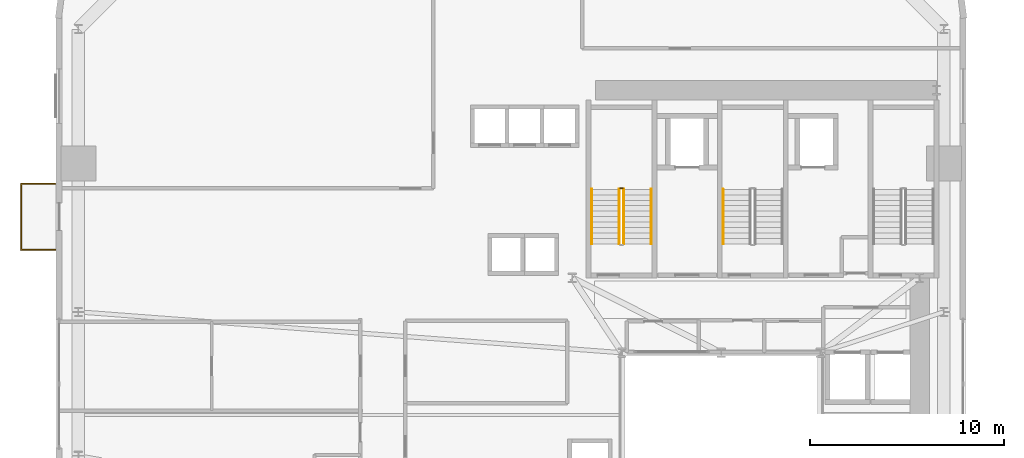
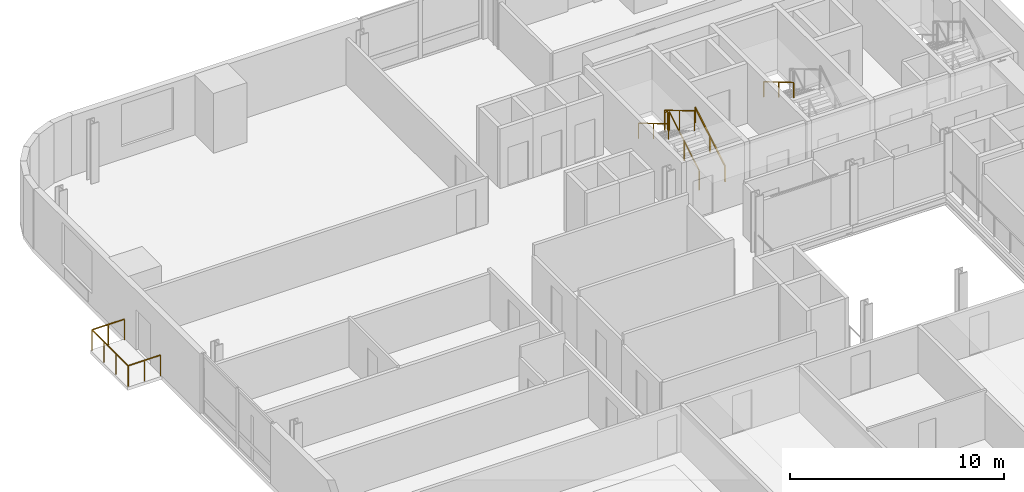
# One storey, part 12 of 13: 7 railings.
"""IFC4 building model written with IfcOpenShell, lengths in metres."""

from ifc_helpers import new_model, si_unit, direction, frame, origin, origin_2d, place, context, subcontext, project, spatial, rectangle, extrude, source, transform, mapped, material, type_object, element, save


model = new_model("IFC4")

# Units and contexts
model_context = context("Model", 3, precision=1e-05, world=origin(), true_north=direction((0.0, 1.0)))
body_context = subcontext(model_context, "Body", "Model", "MODEL_VIEW")
ifc_project = project(units=[si_unit("LENGTHUNIT", "METRE"), si_unit("AREAUNIT", "SQUARE_METRE"), si_unit("VOLUMEUNIT", "CUBIC_METRE"), si_unit("PLANEANGLEUNIT", "RADIAN"), si_unit("MASSUNIT", "GRAM", prefix="KILO")], contexts=[model_context])

# Site, building, storey
site_placement = place(None, origin())
site = spatial("IfcSite", under=ifc_project, at=site_placement, CompositionType="ELEMENT")
building_placement = place(site_placement, origin())
building = spatial("IfcBuilding", under=site, at=building_placement, Name="Vardaveli Station Tower", CompositionType="ELEMENT")
storey_placement = place(building_placement, frame((0.0, 0.0, 34.89990234375)))
storey = spatial("IfcBuildingStorey", under=building, at=storey_placement, Name="L08", CompositionType="ELEMENT", Elevation=34.89990234375)

# Railings
ifc_material_1 = material(Name="Laminated glass and stainless steel balustrade", Category="steel")
railing_type_1 = type_object("IfcRailingType", Name="RL-BAL-1200", PredefinedType="BALUSTRADE", material=ifc_material_1)
shared_shape_1 = source(origin(), body_context, "Body", "SweptSolid", [
    extrude(rectangle(XDim=0.048095703125, YDim=0.048095703125, at=origin_2d()), frame((0.0, 0.0, 1.17578125), z_axis=(-1.0, 0.0, 0.0), x_axis=(0.0, -1.0, 0.0)), (0.0, 0.0, 1.0), 1.75),
    extrude(rectangle(XDim=0.048095703125, YDim=0.048095703125, at=origin_2d()), frame((-1.75, 0.0, 1.17578125), z_axis=(0.0, 1.0, 0.0), x_axis=(-1.0, 0.0, 0.0)), (0.0, 0.0, 1.0), 3.3798828125),
    extrude(rectangle(XDim=0.048095703125, YDim=0.048095703125, at=origin_2d()), frame((-1.75, 3.3798828125, 1.17578125), z_axis=(1.0, 0.0, 0.0), x_axis=(0.0, 1.0, 0.0)), (0.0, 0.0, 1.0), 1.75),
    extrude(rectangle(XDim=0.0419921875, YDim=0.0419921875, at=origin_2d()), origin(), (0.0, 0.0, 1.0), 1.15185546875),
    extrude(rectangle(XDim=0.0419921875, YDim=0.0419921875, at=origin_2d()), frame((-0.875, 0.0, 0.0)), (0.0, 0.0, 1.0), 1.15185546875),
    extrude(rectangle(XDim=0.0419921875, YDim=0.0419921875, at=origin_2d()), frame((-1.75, 0.0, 0.0)), (0.0, 0.0, 1.0), 1.15185546875),
    extrude(rectangle(XDim=0.0419921875, YDim=0.0419921875, at=origin_2d()), frame((-1.75, 1.126708984375, 0.0)), (0.0, 0.0, 1.0), 1.15185546875),
    extrude(rectangle(XDim=0.0419921875, YDim=0.0419921875, at=origin_2d()), frame((-1.75, 2.253173828125, 0.0)), (0.0, 0.0, 1.0), 1.15185546875),
    extrude(rectangle(XDim=0.0419921875, YDim=0.0419921875, at=origin_2d()), frame((-1.75, 3.3798828125, 0.0)), (0.0, 0.0, 1.0), 1.15185546875),
    extrude(rectangle(XDim=0.0419921875, YDim=0.0419921875, at=origin_2d()), frame((-0.875, 3.3798828125, 0.0)), (0.0, 0.0, 1.0), 1.15185546875),
    extrude(rectangle(XDim=0.0419921875, YDim=0.0419921875, at=origin_2d()), frame((0.0, 3.3798828125, 0.0)), (0.0, 0.0, 1.0), 1.15185546875),
])
railing_1_placement = place(storey_placement, frame((2.06005859375, 32.099609375, 0.0)))
element("IfcRailing", 1, at=railing_1_placement, inside=storey, type_object=railing_type_1, Name="RL-LOG-L08-03", PredefinedType="BALUSTRADE", context=body_context, shape_type="MappedRepresentation", body=[
    mapped(shared_shape_1, transform((0.0, 0.0, 0.0), scale=1.0)),
])
ifc_material_2 = material(Name="Brushed AISI 316 stainless steel", Category="steel")
railing_type_2 = type_object("IfcRailingType", Name="RL-GUARD-1150", PredefinedType="GUARDRAIL", material=ifc_material_2)
shared_shape_2 = source(origin(), body_context, "Body", "SweptSolid", [
    extrude(rectangle(XDim=0.048095703125, YDim=0.048095703125, at=origin_2d()), frame((0.0, 0.0, 1.1259765625), z_axis=(-1.0, 0.0, 0.0), x_axis=(0.0, -1.0, 0.0)), (0.0, 0.0, 1.0), 0.14990234375),
    extrude(rectangle(XDim=0.0419921875, YDim=0.0419921875, at=origin_2d()), origin(), (0.0, 0.0, 1.0), 1.101806640625),
    extrude(rectangle(XDim=0.0419921875, YDim=0.0419921875, at=origin_2d()), frame((-0.14990234375, 0.0, 0.0)), (0.0, 0.0, 1.0), 1.101806640625),
])
railing_2_placement = place(storey_placement, frame((31.25, 35.25, 1.8251953125)))
element("IfcRailing", 2, at=railing_2_placement, inside=storey, type_object=railing_type_2, Name="L08 ST-1 stair guard 2", PredefinedType="GUARDRAIL", context=body_context, shape_type="MappedRepresentation", body=[
    mapped(shared_shape_2, transform((0.0, 0.0, 0.0), scale=1.0)),
])
shared_shape_3 = source(origin(), body_context, "Body", "SweptSolid", [
    extrude(rectangle(XDim=0.048095703125, YDim=0.048095703125, at=origin_2d()), frame((0.0, 0.0, 1.1259765625), z_axis=(0.0, 0.860306154799, 0.50977771628), x_axis=(-1.0, 0.0, 0.0)), (0.0, 0.0, 1.0), 3.254638671875),
    extrude(rectangle(XDim=0.0419921875, YDim=0.0419921875, at=origin_2d()), origin(), (0.0, 0.0, 1.0), 1.101806640625),
    extrude(rectangle(XDim=0.0419921875, YDim=0.0419921875, at=origin_2d()), frame((0.0, 1.39990234375, 0.82958984375)), (0.0, 0.0, 1.0), 1.101806640625),
    extrude(rectangle(XDim=0.0419921875, YDim=0.0419921875, at=origin_2d()), frame((0.0, 2.800048828125, 1.6591796875)), (0.0, 0.0, 1.0), 1.101806640625),
])
railing_3_placement = place(storey_placement, frame((31.300048828125, 32.39990234375, 0.166015625)))
element("IfcRailing", 3, at=railing_3_placement, inside=storey, type_object=railing_type_2, Name="L08 ST-1 stair guard 1", PredefinedType="GUARDRAIL", context=body_context, shape_type="MappedRepresentation", body=[
    mapped(shared_shape_3, transform((0.0, 0.0, 0.0), scale=1.0)),
])
shared_shape_4 = source(origin(), body_context, "Body", "SweptSolid", [
    extrude(rectangle(XDim=0.048095703125, YDim=0.048095703125, at=origin_2d()), frame((0.0, 0.0, 1.1259765625), z_axis=(0.0, -0.860306154799, 0.50977771628), x_axis=(1.0, 0.0, 0.0)), (0.0, 0.0, 1.0), 3.254638671875),
    extrude(rectangle(XDim=0.0419921875, YDim=0.0419921875, at=origin_2d()), origin(), (0.0, 0.0, 1.0), 1.101806640625),
    extrude(rectangle(XDim=0.0419921875, YDim=0.0419921875, at=origin_2d()), frame((0.0, -1.39990234375, 0.82958984375)), (0.0, 0.0, 1.0), 1.101806640625),
    extrude(rectangle(XDim=0.0419921875, YDim=0.0419921875, at=origin_2d()), frame((0.0, -2.800048828125, 1.6591796875)), (0.0, 0.0, 1.0), 1.101806640625),
])
railing_4_placement = place(storey_placement, frame((31.050048828125, 35.199951171875, 1.990966796875)))
element("IfcRailing", 4, at=railing_4_placement, inside=storey, type_object=railing_type_2, Name="L08 ST-1 stair guard 3", PredefinedType="GUARDRAIL", context=body_context, shape_type="MappedRepresentation", body=[
    mapped(shared_shape_4, transform((0.0, 0.0, 0.0), scale=1.0)),
])
railing_type_3 = type_object("IfcRailingType", Name="RL-HAND-900", PredefinedType="HANDRAIL", material=ifc_material_2)
shared_shape_5 = source(origin(), body_context, "Body", "SweptSolid", [
    extrude(rectangle(XDim=0.048095703125, YDim=0.048095703125, at=origin_2d()), frame((0.0, 0.0, 0.8759765625), z_axis=(0.0, 0.860306154799, 0.50977771628), x_axis=(-1.0, 0.0, 0.0)), (0.0, 0.0, 1.0), 3.254638671875),
    extrude(rectangle(XDim=0.0419921875, YDim=0.0419921875, at=origin_2d()), origin(), (0.0, 0.0, 1.0), 0.851806640625),
    extrude(rectangle(XDim=0.0419921875, YDim=0.0419921875, at=origin_2d()), frame((0.0, 1.39990234375, 0.82958984375)), (0.0, 0.0, 1.0), 0.851806640625),
    extrude(rectangle(XDim=0.0419921875, YDim=0.0419921875, at=origin_2d()), frame((0.0, 2.800048828125, 1.6591796875)), (0.0, 0.0, 1.0), 0.851806640625),
])
railing_5_placement = place(storey_placement, frame((32.699951171875, 32.39990234375, 0.166015625)))
element("IfcRailing", 5, at=railing_5_placement, inside=storey, type_object=railing_type_3, Name="L08 ST-1 stair handrail 1", PredefinedType="HANDRAIL", context=body_context, shape_type="MappedRepresentation", body=[
    mapped(shared_shape_5, transform((0.0, 0.0, 0.0), scale=1.0)),
])
shared_shape_6 = source(origin(), body_context, "Body", "SweptSolid", [
    extrude(rectangle(XDim=0.048095703125, YDim=0.048095703125, at=origin_2d()), frame((0.0, 0.0, 0.8759765625), z_axis=(0.0, -0.860306154799, 0.50977771628), x_axis=(1.0, 0.0, 0.0)), (0.0, 0.0, 1.0), 3.254638671875),
    extrude(rectangle(XDim=0.0419921875, YDim=0.0419921875, at=origin_2d()), origin(), (0.0, 0.0, 1.0), 0.851806640625),
    extrude(rectangle(XDim=0.0419921875, YDim=0.0419921875, at=origin_2d()), frame((0.0, -1.39990234375, 0.82958984375)), (0.0, 0.0, 1.0), 0.851806640625),
    extrude(rectangle(XDim=0.0419921875, YDim=0.0419921875, at=origin_2d()), frame((0.0, -2.800048828125, 1.6591796875)), (0.0, 0.0, 1.0), 0.851806640625),
])
for number, where, name in (
    (6, (29.64990234375, 35.199951171875, 1.990966796875), "L08 ST-1 stair handrail 2"),
    (7, (36.39990234375, 35.199951171875, 1.990966796875), "L08 ST-2 stair handrail 2"),
):
    element("IfcRailing", number, at=place(storey_placement, frame(where)), inside=storey, type_object=railing_type_3, Name=name, PredefinedType="HANDRAIL", context=body_context, shape_type="MappedRepresentation", body=[
        mapped(shared_shape_6, transform((0.0, 0.0, 0.0), scale=1.0)),
    ])

save(model, "model.ifc")
